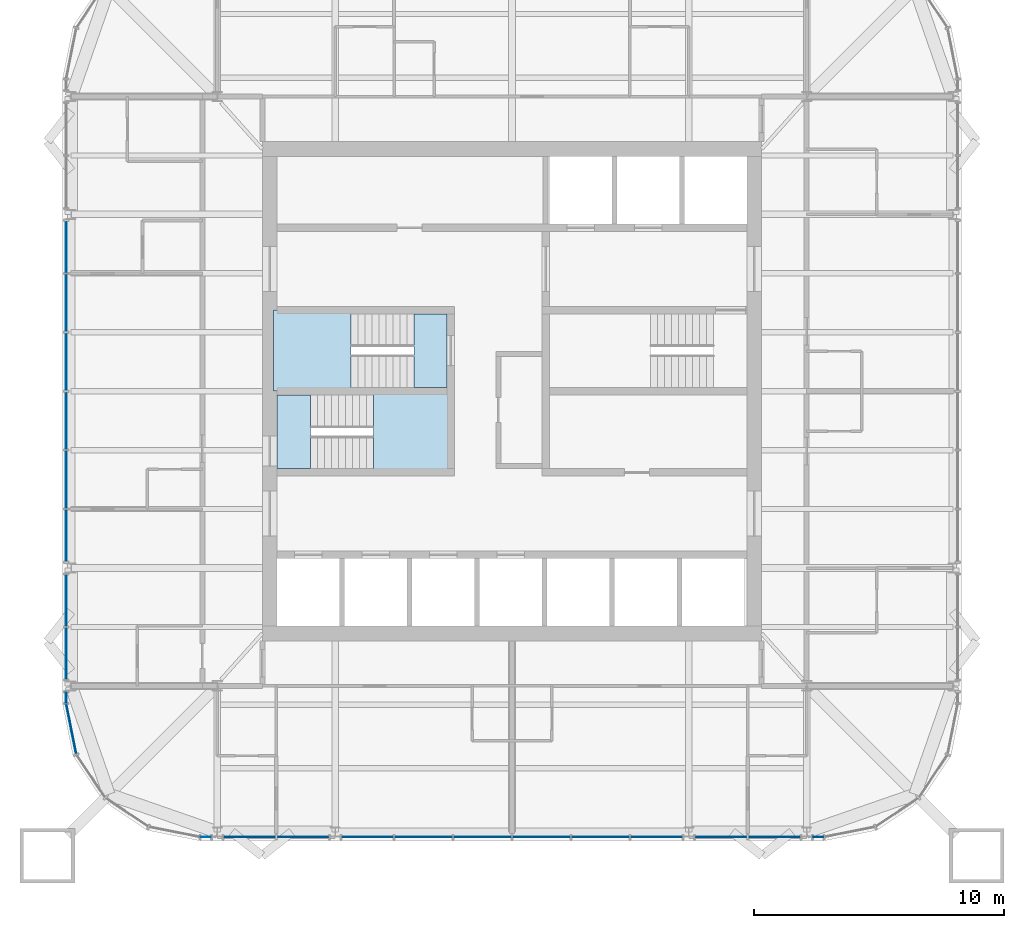
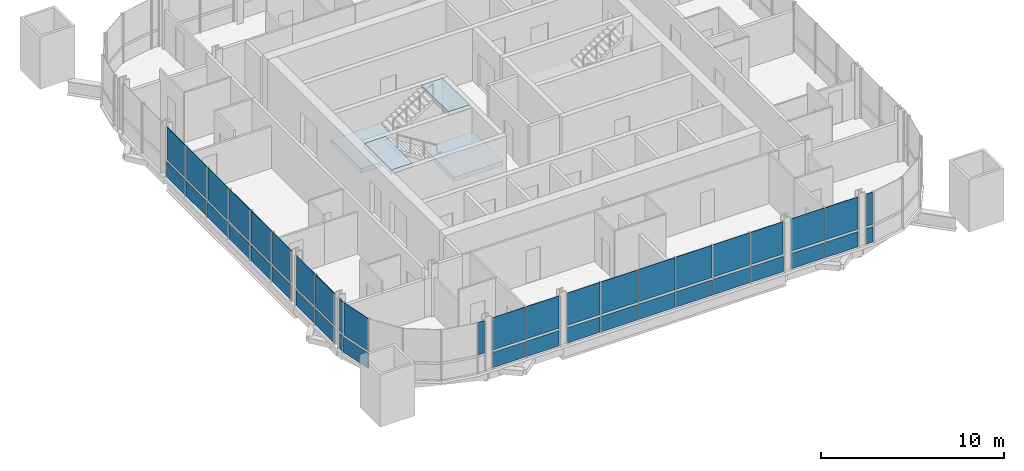
# One storey, part 8 of 17: 43 plates, 4 slabs, 11 elements without a shape of their own.
"""IFC4 building model written with IfcOpenShell, lengths in metres."""

from ifc_helpers import new_model, si_unit, direction, frame, origin, origin_2d, place, context, subcontext, project, spatial, polyline, rectangle, outline, extrude, material, layer, layer_set, type_object, element, aggregate, save


model = new_model("IFC4")

# Units and contexts
model_context = context("Model", 3, precision=1e-05, world=origin(), true_north=direction((0.0, 1.0)))
body_context = subcontext(model_context, "Body", "Model", "MODEL_VIEW")
ifc_project = project(units=[si_unit("LENGTHUNIT", "METRE"), si_unit("AREAUNIT", "SQUARE_METRE"), si_unit("VOLUMEUNIT", "CUBIC_METRE"), si_unit("PLANEANGLEUNIT", "RADIAN"), si_unit("MASSUNIT", "GRAM", prefix="KILO")], contexts=[model_context])

# Site, building, storey
site_placement = place(None, origin())
site = spatial("IfcSite", under=ifc_project, at=site_placement, CompositionType="ELEMENT")
building_placement = place(site_placement, origin())
building = spatial("IfcBuilding", under=site, at=building_placement, Name="Turquesa Mirador Hotel Tower", CompositionType="ELEMENT")
storey_placement = place(building_placement, frame((0.0, 0.0, 237.199951171875)))
storey = spatial("IfcBuildingStorey", under=building, at=storey_placement, Name="L64", CompositionType="ELEMENT", Elevation=237.199951171875)

# Curtain wall, plates
ifc_material_1 = material(Name="Aluminium extrusion", Category="aluminium")
curtain_wall_type = type_object("IfcCurtainWallType", Name="CW-4 SUITE FRITTED CURTAIN WALL", PredefinedType="USERDEFINED", material=ifc_material_1)
curtain_wall_1_placement = place(storey_placement, origin())
curtain_wall_1 = element("IfcCurtainWall", 1, at=curtain_wall_1_placement, inside=storey, type_object=curtain_wall_type, Name="CW-4 SUITE FRITTED CURTAIN WALL L64", ObjectType="CURTAIN WALL", PredefinedType="USERDEFINED")
ifc_material_2 = material(Name="Ceramic-printed spandrel glass on an insulated back pan", Category="glass")
ifc_layer_1 = layer(ifc_material_2, 0.050048828125)
ifc_layer_set_1 = layer_set([ifc_layer_1], Name="CW PANEL SPANDREL CERAMIC")
plate_type_1 = type_object("IfcPlateType", Name="CW PANEL SPANDREL CERAMIC", PredefinedType="CURTAIN_PANEL", material=ifc_layer_set_1)
plate_1_placement = place(storey_placement, frame((37.14990234375, 50.782958984375, 0.0), z_axis=(0.0, 0.0, 1.0), x_axis=(0.0, -1.0, 0.0)))
plate_1 = element("IfcPlate", 2, at=plate_1_placement, type_object=plate_type_1, Name="Panel", PredefinedType="CURTAIN_PANEL", context=body_context, shape_type="SweptSolid", body=[
    extrude(rectangle(XDim=2.06103515625, YDim=0.050048828125, at=origin_2d()), origin(), (0.0, 0.0, 1.0), 1.02490234375),
])
plate_2_placement = place(storey_placement, frame((37.14990234375, 48.5400390625, 0.0), z_axis=(0.0, 0.0, 1.0), x_axis=(0.0, -1.0, 0.0)))
plate_2 = element("IfcPlate", 3, at=plate_2_placement, type_object=plate_type_1, Name="Panel", PredefinedType="CURTAIN_PANEL", context=body_context, shape_type="SweptSolid", body=[
    extrude(rectangle(XDim=2.294921875, YDim=0.050048828125, at=origin_2d()), origin(), (0.0, 0.0, 1.0), 1.02490234375),
])
plate_3_placement = place(storey_placement, frame((37.14990234375, 46.179931640625, 0.0), z_axis=(0.0, 0.0, 1.0), x_axis=(0.0, -1.0, 0.0)))
plate_3 = element("IfcPlate", 4, at=plate_3_placement, type_object=plate_type_1, Name="Panel", PredefinedType="CURTAIN_PANEL", context=body_context, shape_type="SweptSolid", body=[
    extrude(rectangle(XDim=2.294921875, YDim=0.050048828125, at=origin_2d()), origin(), (0.0, 0.0, 1.0), 1.02490234375),
])
plate_4_placement = place(storey_placement, frame((37.14990234375, 43.820068359375, 0.0), z_axis=(0.0, 0.0, 1.0), x_axis=(0.0, -1.0, 0.0)))
plate_4 = element("IfcPlate", 5, at=plate_4_placement, type_object=plate_type_1, Name="Panel", PredefinedType="CURTAIN_PANEL", context=body_context, shape_type="SweptSolid", body=[
    extrude(rectangle(XDim=2.294921875, YDim=0.050048828125, at=origin_2d()), origin(), (0.0, 0.0, 1.0), 1.02490234375),
])
plate_5_placement = place(storey_placement, frame((37.14990234375, 41.4599609375, 0.0), z_axis=(0.0, 0.0, 1.0), x_axis=(0.0, -1.0, 0.0)))
plate_5 = element("IfcPlate", 6, at=plate_5_placement, type_object=plate_type_1, Name="Panel", PredefinedType="CURTAIN_PANEL", context=body_context, shape_type="SweptSolid", body=[
    extrude(rectangle(XDim=2.294921875, YDim=0.050048828125, at=origin_2d()), origin(), (0.0, 0.0, 1.0), 1.02490234375),
])
plate_6_placement = place(storey_placement, frame((37.14990234375, 39.217041015625, 0.0), z_axis=(0.0, 0.0, 1.0), x_axis=(0.0, -1.0, 0.0)))
plate_6 = element("IfcPlate", 7, at=plate_6_placement, type_object=plate_type_1, Name="Panel", PredefinedType="CURTAIN_PANEL", context=body_context, shape_type="SweptSolid", body=[
    extrude(rectangle(XDim=2.06103515625, YDim=0.050048828125, at=origin_2d()), origin(), (0.0, 0.0, 1.0), 1.02490234375),
])

curtain_wall_2_placement = place(storey_placement, origin())
curtain_wall_2 = element("IfcCurtainWall", 8, at=curtain_wall_2_placement, inside=storey, type_object=curtain_wall_type, Name="CW-4 SUITE FRITTED CURTAIN WALL L64", ObjectType="CURTAIN WALL", PredefinedType="USERDEFINED")
plate_7_placement = place(storey_placement, frame((37.14990234375, 36.623046875, 0.0), z_axis=(0.0, 0.0, 1.0), x_axis=(0.0, -1.0, 0.0)))
plate_7 = element("IfcPlate", 9, at=plate_7_placement, type_object=plate_type_1, Name="Panel", PredefinedType="CURTAIN_PANEL", context=body_context, shape_type="SweptSolid", body=[
    extrude(rectangle(XDim=2.06103515625, YDim=0.050048828125, at=origin_2d()), origin(), (0.0, 0.0, 1.0), 1.02490234375),
])
plate_8_placement = place(storey_placement, frame((37.14990234375, 34.496826171875, 0.0), z_axis=(0.0, 0.0, 1.0), x_axis=(0.0, -1.0, 0.0)))
plate_8 = element("IfcPlate", 10, at=plate_8_placement, type_object=plate_type_1, Name="Panel", PredefinedType="CURTAIN_PANEL", context=body_context, shape_type="SweptSolid", body=[
    extrude(rectangle(XDim=2.06103515625, YDim=0.050048828125, at=origin_2d()), origin(), (0.0, 0.0, 1.0), 1.02490234375),
])

# Curtain wall, plate
curtain_wall_3_placement = place(storey_placement, origin())
curtain_wall_3 = element("IfcCurtainWall", 11, at=curtain_wall_3_placement, inside=storey, type_object=curtain_wall_type, Name="CW-4 SUITE FRITTED CURTAIN WALL L64", ObjectType="CURTAIN WALL", PredefinedType="USERDEFINED")
plate_9_placement = place(storey_placement, frame((37.14990234375, 32.733154296875, 0.0), z_axis=(0.0, 0.0, 1.0), x_axis=(0.0, -1.0, 0.0)))
plate_9 = element("IfcPlate", 12, at=plate_9_placement, type_object=plate_type_1, Name="Panel", PredefinedType="CURTAIN_PANEL", context=body_context, shape_type="SweptSolid", body=[
    extrude(rectangle(XDim=0.401123046875, YDim=0.050048828125, at=origin_2d()), origin(), (0.0, 0.0, 1.0), 1.02490234375),
])

curtain_wall_4_placement = place(storey_placement, origin())
curtain_wall_4 = element("IfcCurtainWall", 13, at=curtain_wall_4_placement, inside=storey, type_object=curtain_wall_type, Name="CW-4 SUITE FRITTED CURTAIN WALL L64", ObjectType="CURTAIN WALL", PredefinedType="USERDEFINED")
plate_10_placement = place(storey_placement, frame((37.353515625, 31.476318359375, 0.0), z_axis=(0.0, 0.0, 1.0), x_axis=(0.195090585221, -0.980785228048, 0.0)))
plate_10 = element("IfcPlate", 14, at=plate_10_placement, type_object=plate_type_1, Name="Panel", PredefinedType="CURTAIN_PANEL", context=body_context, shape_type="SweptSolid", body=[
    extrude(rectangle(XDim=2.0224609375, YDim=0.050048828125, at=origin_2d()), origin(), (0.0, 0.0, 1.0), 1.02490234375),
])

# Curtain wall, plates
curtain_wall_5_placement = place(storey_placement, origin())
curtain_wall_5 = element("IfcCurtainWall", 15, at=curtain_wall_5_placement, inside=storey, type_object=curtain_wall_type, Name="CW-4 SUITE FRITTED CURTAIN WALL L64", ObjectType="CURTAIN WALL", PredefinedType="USERDEFINED")
plate_11_placement = place(storey_placement, frame((44.496826171875, 27.14990234375, 0.0), z_axis=(0.0, 0.0, 1.0), x_axis=(1.0, 0.0, 0.0)))
plate_11 = element("IfcPlate", 16, at=plate_11_placement, type_object=plate_type_1, Name="Panel", PredefinedType="CURTAIN_PANEL", context=body_context, shape_type="SweptSolid", body=[
    extrude(rectangle(XDim=2.06103515625, YDim=0.050048828125, at=origin_2d()), origin(), (0.0, 0.0, 1.0), 1.02490234375),
])
plate_12_placement = place(storey_placement, frame((46.623046875, 27.14990234375, 0.0), z_axis=(0.0, 0.0, 1.0), x_axis=(1.0, 0.0, 0.0)))
plate_12 = element("IfcPlate", 17, at=plate_12_placement, type_object=plate_type_1, Name="Panel", PredefinedType="CURTAIN_PANEL", context=body_context, shape_type="SweptSolid", body=[
    extrude(rectangle(XDim=2.06103515625, YDim=0.050048828125, at=origin_2d()), origin(), (0.0, 0.0, 1.0), 1.02490234375),
])

curtain_wall_6_placement = place(storey_placement, origin())
curtain_wall_6 = element("IfcCurtainWall", 18, at=curtain_wall_6_placement, inside=storey, type_object=curtain_wall_type, Name="CW-4 SUITE FRITTED CURTAIN WALL L64", ObjectType="CURTAIN WALL", PredefinedType="USERDEFINED")
plate_13_placement = place(storey_placement, frame((49.217041015625, 27.14990234375, 0.0), z_axis=(0.0, 0.0, 1.0), x_axis=(1.0, 0.0, 0.0)))
plate_13 = element("IfcPlate", 19, at=plate_13_placement, type_object=plate_type_1, Name="Panel", PredefinedType="CURTAIN_PANEL", context=body_context, shape_type="SweptSolid", body=[
    extrude(rectangle(XDim=2.06103515625, YDim=0.050048828125, at=origin_2d()), origin(), (0.0, 0.0, 1.0), 1.02490234375),
])
plate_14_placement = place(storey_placement, frame((51.4599609375, 27.14990234375, 0.0), z_axis=(0.0, 0.0, 1.0), x_axis=(1.0, 0.0, 0.0)))
plate_14 = element("IfcPlate", 20, at=plate_14_placement, type_object=plate_type_1, Name="Panel", PredefinedType="CURTAIN_PANEL", context=body_context, shape_type="SweptSolid", body=[
    extrude(rectangle(XDim=2.294921875, YDim=0.050048828125, at=origin_2d()), origin(), (0.0, 0.0, 1.0), 1.02490234375),
])
plate_15_placement = place(storey_placement, frame((53.820068359375, 27.14990234375, 0.0), z_axis=(0.0, 0.0, 1.0), x_axis=(1.0, 0.0, 0.0)))
plate_15 = element("IfcPlate", 21, at=plate_15_placement, type_object=plate_type_1, Name="Panel", PredefinedType="CURTAIN_PANEL", context=body_context, shape_type="SweptSolid", body=[
    extrude(rectangle(XDim=2.294921875, YDim=0.050048828125, at=origin_2d()), origin(), (0.0, 0.0, 1.0), 1.02490234375),
])
plate_16_placement = place(storey_placement, frame((56.179931640625, 27.14990234375, 0.0), z_axis=(0.0, 0.0, 1.0), x_axis=(1.0, 0.0, 0.0)))
plate_16 = element("IfcPlate", 22, at=plate_16_placement, type_object=plate_type_1, Name="Panel", PredefinedType="CURTAIN_PANEL", context=body_context, shape_type="SweptSolid", body=[
    extrude(rectangle(XDim=2.294921875, YDim=0.050048828125, at=origin_2d()), origin(), (0.0, 0.0, 1.0), 1.02490234375),
])
plate_17_placement = place(storey_placement, frame((58.5400390625, 27.14990234375, 0.0), z_axis=(0.0, 0.0, 1.0), x_axis=(1.0, 0.0, 0.0)))
plate_17 = element("IfcPlate", 23, at=plate_17_placement, type_object=plate_type_1, Name="Panel", PredefinedType="CURTAIN_PANEL", context=body_context, shape_type="SweptSolid", body=[
    extrude(rectangle(XDim=2.294921875, YDim=0.050048828125, at=origin_2d()), origin(), (0.0, 0.0, 1.0), 1.02490234375),
])
plate_18_placement = place(storey_placement, frame((60.782958984375, 27.14990234375, 0.0), z_axis=(0.0, 0.0, 1.0), x_axis=(1.0, 0.0, 0.0)))
plate_18 = element("IfcPlate", 24, at=plate_18_placement, type_object=plate_type_1, Name="Panel", PredefinedType="CURTAIN_PANEL", context=body_context, shape_type="SweptSolid", body=[
    extrude(rectangle(XDim=2.06103515625, YDim=0.050048828125, at=origin_2d()), origin(), (0.0, 0.0, 1.0), 1.02490234375),
])

curtain_wall_7_placement = place(storey_placement, origin())
curtain_wall_7 = element("IfcCurtainWall", 25, at=curtain_wall_7_placement, inside=storey, type_object=curtain_wall_type, Name="CW-4 SUITE FRITTED CURTAIN WALL L64", ObjectType="CURTAIN WALL", PredefinedType="USERDEFINED")
plate_19_placement = place(storey_placement, frame((63.376953125, 27.14990234375, 0.0), z_axis=(0.0, 0.0, 1.0), x_axis=(1.0, 0.0, 0.0)))
plate_19 = element("IfcPlate", 26, at=plate_19_placement, type_object=plate_type_1, Name="Panel", PredefinedType="CURTAIN_PANEL", context=body_context, shape_type="SweptSolid", body=[
    extrude(rectangle(XDim=2.06103515625, YDim=0.050048828125, at=origin_2d()), origin(), (0.0, 0.0, 1.0), 1.02490234375),
])
plate_20_placement = place(storey_placement, frame((65.503173828125, 27.14990234375, 0.0), z_axis=(0.0, 0.0, 1.0), x_axis=(1.0, 0.0, 0.0)))
plate_20 = element("IfcPlate", 27, at=plate_20_placement, type_object=plate_type_1, Name="Panel", PredefinedType="CURTAIN_PANEL", context=body_context, shape_type="SweptSolid", body=[
    extrude(rectangle(XDim=2.06103515625, YDim=0.050048828125, at=origin_2d()), origin(), (0.0, 0.0, 1.0), 1.02490234375),
])

# Curtain wall, plate
curtain_wall_8_placement = place(storey_placement, origin())
curtain_wall_8 = element("IfcCurtainWall", 28, at=curtain_wall_8_placement, inside=storey, type_object=curtain_wall_type, Name="CW-4 SUITE FRITTED CURTAIN WALL L64", ObjectType="CURTAIN WALL", PredefinedType="USERDEFINED")
plate_21_placement = place(storey_placement, frame((67.266845703125, 27.14990234375, 0.0), z_axis=(0.0, 0.0, 1.0), x_axis=(1.0, 0.0, 0.0)))
plate_21 = element("IfcPlate", 29, at=plate_21_placement, type_object=plate_type_1, Name="Panel", PredefinedType="CURTAIN_PANEL", context=body_context, shape_type="SweptSolid", body=[
    extrude(rectangle(XDim=0.401123046875, YDim=0.050048828125, at=origin_2d()), origin(), (0.0, 0.0, 1.0), 1.02490234375),
])

# Plate
ifc_material_3 = material(Name="Ceramic-fritted laminated glass", Category="glass")
ifc_layer_2 = layer(ifc_material_3, 0.031982421875)
ifc_layer_set_2 = layer_set([ifc_layer_2], Name="CW PANEL VISION FRITTED")
plate_type_2 = type_object("IfcPlateType", Name="CW PANEL VISION FRITTED", PredefinedType="CURTAIN_PANEL", material=ifc_layer_set_2)
plate_22_placement = place(storey_placement, frame((37.14990234375, 50.782958984375, 1.1748046875), z_axis=(0.0, 0.0, 1.0), x_axis=(0.0, -1.0, 0.0)))
plate_22 = element("IfcPlate", 30, at=plate_22_placement, type_object=plate_type_2, Name="Panel", PredefinedType="CURTAIN_PANEL", context=body_context, shape_type="SweptSolid", body=[
    extrude(rectangle(XDim=2.06103515625, YDim=0.031982421875, at=origin_2d()), origin(), (0.0, 0.0, 1.0), 2.155029296875),
])

plate_23_placement = place(storey_placement, frame((37.14990234375, 48.5400390625, 1.1748046875), z_axis=(0.0, 0.0, 1.0), x_axis=(0.0, -1.0, 0.0)))
plate_23 = element("IfcPlate", 31, at=plate_23_placement, type_object=plate_type_2, Name="Panel", PredefinedType="CURTAIN_PANEL", context=body_context, shape_type="SweptSolid", body=[
    extrude(rectangle(XDim=2.294921875, YDim=0.031982421875, at=origin_2d()), origin(), (0.0, 0.0, 1.0), 2.155029296875),
])

plate_24_placement = place(storey_placement, frame((37.14990234375, 46.179931640625, 1.1748046875), z_axis=(0.0, 0.0, 1.0), x_axis=(0.0, -1.0, 0.0)))
plate_24 = element("IfcPlate", 32, at=plate_24_placement, type_object=plate_type_2, Name="Panel", PredefinedType="CURTAIN_PANEL", context=body_context, shape_type="SweptSolid", body=[
    extrude(rectangle(XDim=2.294921875, YDim=0.031982421875, at=origin_2d()), origin(), (0.0, 0.0, 1.0), 2.155029296875),
])

plate_25_placement = place(storey_placement, frame((37.14990234375, 43.820068359375, 1.1748046875), z_axis=(0.0, 0.0, 1.0), x_axis=(0.0, -1.0, 0.0)))
plate_25 = element("IfcPlate", 33, at=plate_25_placement, type_object=plate_type_2, Name="Panel", PredefinedType="CURTAIN_PANEL", context=body_context, shape_type="SweptSolid", body=[
    extrude(rectangle(XDim=2.294921875, YDim=0.031982421875, at=origin_2d()), origin(), (0.0, 0.0, 1.0), 2.155029296875),
])

plate_26_placement = place(storey_placement, frame((37.14990234375, 41.4599609375, 1.1748046875), z_axis=(0.0, 0.0, 1.0), x_axis=(0.0, -1.0, 0.0)))
plate_26 = element("IfcPlate", 34, at=plate_26_placement, type_object=plate_type_2, Name="Panel", PredefinedType="CURTAIN_PANEL", context=body_context, shape_type="SweptSolid", body=[
    extrude(rectangle(XDim=2.294921875, YDim=0.031982421875, at=origin_2d()), origin(), (0.0, 0.0, 1.0), 2.155029296875),
])

plate_27_placement = place(storey_placement, frame((37.14990234375, 39.217041015625, 1.1748046875), z_axis=(0.0, 0.0, 1.0), x_axis=(0.0, -1.0, 0.0)))
plate_27 = element("IfcPlate", 35, at=plate_27_placement, type_object=plate_type_2, Name="Panel", PredefinedType="CURTAIN_PANEL", context=body_context, shape_type="SweptSolid", body=[
    extrude(rectangle(XDim=2.06103515625, YDim=0.031982421875, at=origin_2d()), origin(), (0.0, 0.0, 1.0), 2.155029296875),
])

aggregate(curtain_wall_1, [plate_1, plate_22, plate_2, plate_23, plate_3, plate_24, plate_4, plate_25, plate_5, plate_26, plate_6, plate_27])

plate_28_placement = place(storey_placement, frame((37.14990234375, 36.623046875, 1.1748046875), z_axis=(0.0, 0.0, 1.0), x_axis=(0.0, -1.0, 0.0)))
plate_28 = element("IfcPlate", 36, at=plate_28_placement, type_object=plate_type_2, Name="Panel", PredefinedType="CURTAIN_PANEL", context=body_context, shape_type="SweptSolid", body=[
    extrude(rectangle(XDim=2.06103515625, YDim=0.031982421875, at=origin_2d()), origin(), (0.0, 0.0, 1.0), 2.155029296875),
])

plate_29_placement = place(storey_placement, frame((37.14990234375, 34.496826171875, 1.1748046875), z_axis=(0.0, 0.0, 1.0), x_axis=(0.0, -1.0, 0.0)))
plate_29 = element("IfcPlate", 37, at=plate_29_placement, type_object=plate_type_2, Name="Panel", PredefinedType="CURTAIN_PANEL", context=body_context, shape_type="SweptSolid", body=[
    extrude(rectangle(XDim=2.06103515625, YDim=0.031982421875, at=origin_2d()), origin(), (0.0, 0.0, 1.0), 2.155029296875),
])

aggregate(curtain_wall_2, [plate_7, plate_28, plate_8, plate_29])

plate_30_placement = place(storey_placement, frame((37.14990234375, 32.733154296875, 1.1748046875), z_axis=(0.0, 0.0, 1.0), x_axis=(0.0, -1.0, 0.0)))
plate_30 = element("IfcPlate", 38, at=plate_30_placement, type_object=plate_type_2, Name="Panel", PredefinedType="CURTAIN_PANEL", context=body_context, shape_type="SweptSolid", body=[
    extrude(rectangle(XDim=0.401123046875, YDim=0.031982421875, at=origin_2d()), origin(), (0.0, 0.0, 1.0), 2.155029296875),
])

aggregate(curtain_wall_3, [plate_9, plate_30])

plate_31_placement = place(storey_placement, frame((37.353515625, 31.476318359375, 1.1748046875), z_axis=(0.0, 0.0, 1.0), x_axis=(0.195090585221, -0.980785228048, 0.0)))
plate_31 = element("IfcPlate", 39, at=plate_31_placement, type_object=plate_type_2, Name="Panel", PredefinedType="CURTAIN_PANEL", context=body_context, shape_type="SweptSolid", body=[
    extrude(rectangle(XDim=2.0224609375, YDim=0.031982421875, at=origin_2d()), origin(), (0.0, 0.0, 1.0), 2.155029296875),
])

aggregate(curtain_wall_4, [plate_10, plate_31])

# Curtain wall, plate
curtain_wall_9_placement = place(storey_placement, origin())
curtain_wall_9 = element("IfcCurtainWall", 40, at=curtain_wall_9_placement, inside=storey, type_object=curtain_wall_type, Name="CW-4 SUITE FRITTED CURTAIN WALL L64", ObjectType="CURTAIN WALL", PredefinedType="USERDEFINED")
plate_32_placement = place(storey_placement, frame((42.733154296875, 27.14990234375, 1.1748046875), z_axis=(0.0, 0.0, 1.0), x_axis=(1.0, 0.0, 0.0)))
plate_32 = element("IfcPlate", 41, at=plate_32_placement, type_object=plate_type_2, Name="Panel", PredefinedType="CURTAIN_PANEL", context=body_context, shape_type="SweptSolid", body=[
    extrude(rectangle(XDim=0.401123046875, YDim=0.031982421875, at=origin_2d()), origin(), (0.0, 0.0, 1.0), 2.155029296875),
])
aggregate(curtain_wall_9, [plate_32])

# Plate
plate_33_placement = place(storey_placement, frame((44.496826171875, 27.14990234375, 1.1748046875), z_axis=(0.0, 0.0, 1.0), x_axis=(1.0, 0.0, 0.0)))
plate_33 = element("IfcPlate", 42, at=plate_33_placement, type_object=plate_type_2, Name="Panel", PredefinedType="CURTAIN_PANEL", context=body_context, shape_type="SweptSolid", body=[
    extrude(rectangle(XDim=2.06103515625, YDim=0.031982421875, at=origin_2d()), origin(), (0.0, 0.0, 1.0), 2.155029296875),
])

plate_34_placement = place(storey_placement, frame((46.623046875, 27.14990234375, 1.1748046875), z_axis=(0.0, 0.0, 1.0), x_axis=(1.0, 0.0, 0.0)))
plate_34 = element("IfcPlate", 43, at=plate_34_placement, type_object=plate_type_2, Name="Panel", PredefinedType="CURTAIN_PANEL", context=body_context, shape_type="SweptSolid", body=[
    extrude(rectangle(XDim=2.06103515625, YDim=0.031982421875, at=origin_2d()), origin(), (0.0, 0.0, 1.0), 2.155029296875),
])

aggregate(curtain_wall_5, [plate_11, plate_33, plate_12, plate_34])

plate_35_placement = place(storey_placement, frame((49.217041015625, 27.14990234375, 1.1748046875), z_axis=(0.0, 0.0, 1.0), x_axis=(1.0, 0.0, 0.0)))
plate_35 = element("IfcPlate", 44, at=plate_35_placement, type_object=plate_type_2, Name="Panel", PredefinedType="CURTAIN_PANEL", context=body_context, shape_type="SweptSolid", body=[
    extrude(rectangle(XDim=2.06103515625, YDim=0.031982421875, at=origin_2d()), origin(), (0.0, 0.0, 1.0), 2.155029296875),
])

plate_36_placement = place(storey_placement, frame((51.4599609375, 27.14990234375, 1.1748046875), z_axis=(0.0, 0.0, 1.0), x_axis=(1.0, 0.0, 0.0)))
plate_36 = element("IfcPlate", 45, at=plate_36_placement, type_object=plate_type_2, Name="Panel", PredefinedType="CURTAIN_PANEL", context=body_context, shape_type="SweptSolid", body=[
    extrude(rectangle(XDim=2.294921875, YDim=0.031982421875, at=origin_2d()), origin(), (0.0, 0.0, 1.0), 2.155029296875),
])

plate_37_placement = place(storey_placement, frame((53.820068359375, 27.14990234375, 1.1748046875), z_axis=(0.0, 0.0, 1.0), x_axis=(1.0, 0.0, 0.0)))
plate_37 = element("IfcPlate", 46, at=plate_37_placement, type_object=plate_type_2, Name="Panel", PredefinedType="CURTAIN_PANEL", context=body_context, shape_type="SweptSolid", body=[
    extrude(rectangle(XDim=2.294921875, YDim=0.031982421875, at=origin_2d()), origin(), (0.0, 0.0, 1.0), 2.155029296875),
])

plate_38_placement = place(storey_placement, frame((56.179931640625, 27.14990234375, 1.1748046875), z_axis=(0.0, 0.0, 1.0), x_axis=(1.0, 0.0, 0.0)))
plate_38 = element("IfcPlate", 47, at=plate_38_placement, type_object=plate_type_2, Name="Panel", PredefinedType="CURTAIN_PANEL", context=body_context, shape_type="SweptSolid", body=[
    extrude(rectangle(XDim=2.294921875, YDim=0.031982421875, at=origin_2d()), origin(), (0.0, 0.0, 1.0), 2.155029296875),
])

plate_39_placement = place(storey_placement, frame((58.5400390625, 27.14990234375, 1.1748046875), z_axis=(0.0, 0.0, 1.0), x_axis=(1.0, 0.0, 0.0)))
plate_39 = element("IfcPlate", 48, at=plate_39_placement, type_object=plate_type_2, Name="Panel", PredefinedType="CURTAIN_PANEL", context=body_context, shape_type="SweptSolid", body=[
    extrude(rectangle(XDim=2.294921875, YDim=0.031982421875, at=origin_2d()), origin(), (0.0, 0.0, 1.0), 2.155029296875),
])

plate_40_placement = place(storey_placement, frame((60.782958984375, 27.14990234375, 1.1748046875), z_axis=(0.0, 0.0, 1.0), x_axis=(1.0, 0.0, 0.0)))
plate_40 = element("IfcPlate", 49, at=plate_40_placement, type_object=plate_type_2, Name="Panel", PredefinedType="CURTAIN_PANEL", context=body_context, shape_type="SweptSolid", body=[
    extrude(rectangle(XDim=2.06103515625, YDim=0.031982421875, at=origin_2d()), origin(), (0.0, 0.0, 1.0), 2.155029296875),
])

aggregate(curtain_wall_6, [plate_13, plate_35, plate_14, plate_36, plate_15, plate_37, plate_16, plate_38, plate_17, plate_39, plate_18, plate_40])

plate_41_placement = place(storey_placement, frame((63.376953125, 27.14990234375, 1.1748046875), z_axis=(0.0, 0.0, 1.0), x_axis=(1.0, 0.0, 0.0)))
plate_41 = element("IfcPlate", 50, at=plate_41_placement, type_object=plate_type_2, Name="Panel", PredefinedType="CURTAIN_PANEL", context=body_context, shape_type="SweptSolid", body=[
    extrude(rectangle(XDim=2.06103515625, YDim=0.031982421875, at=origin_2d()), origin(), (0.0, 0.0, 1.0), 2.155029296875),
])

plate_42_placement = place(storey_placement, frame((65.503173828125, 27.14990234375, 1.1748046875), z_axis=(0.0, 0.0, 1.0), x_axis=(1.0, 0.0, 0.0)))
plate_42 = element("IfcPlate", 51, at=plate_42_placement, type_object=plate_type_2, Name="Panel", PredefinedType="CURTAIN_PANEL", context=body_context, shape_type="SweptSolid", body=[
    extrude(rectangle(XDim=2.06103515625, YDim=0.031982421875, at=origin_2d()), origin(), (0.0, 0.0, 1.0), 2.155029296875),
])

aggregate(curtain_wall_7, [plate_19, plate_41, plate_20, plate_42])

plate_43_placement = place(storey_placement, frame((67.266845703125, 27.14990234375, 1.1748046875), z_axis=(0.0, 0.0, 1.0), x_axis=(1.0, 0.0, 0.0)))
plate_43 = element("IfcPlate", 52, at=plate_43_placement, type_object=plate_type_2, Name="Panel", PredefinedType="CURTAIN_PANEL", context=body_context, shape_type="SweptSolid", body=[
    extrude(rectangle(XDim=0.401123046875, YDim=0.031982421875, at=origin_2d()), origin(), (0.0, 0.0, 1.0), 2.155029296875),
])

aggregate(curtain_wall_8, [plate_21, plate_43])

# Stair, slabs
ifc_material_4 = material(Name="Concrete C35/45", Category="concrete")
stair_type = type_object("IfcStairType", Name="ESCAPE STAIR CORE", PredefinedType="HALF_TURN_STAIR", material=ifc_material_4)
stair_1_placement = place(storey_placement, origin())
stair_1 = element("IfcStair", 53, at=stair_1_placement, inside=storey, type_object=stair_type, Name="Stair ST1 L64 to L65", PredefinedType="HALF_TURN_STAIR")
ifc_material_5 = material(Name="Concrete C35/45", Category="concrete")
ifc_layer_3 = layer(ifc_material_5, 0.300048828125)
ifc_layer_set_3 = layer_set([ifc_layer_3], Name="STAIR LANDING 300")
slab_type = type_object("IfcSlabType", Name="STAIR LANDING 300", PredefinedType="LANDING", material=ifc_layer_set_3)
slab_1_placement = place(storey_placement, frame((0.0, 0.0, 1.449951171875)))
slab_1 = element("IfcSlab", 54, at=slab_1_placement, type_object=slab_type, Name="ST1 landing 1", PredefinedType="LANDING", context=body_context, shape_type="SweptSolid", body=[
    extrude(outline(polyline([(45.449951171875, 45.0), (48.550048828125, 45.0), (48.550048828125, 48.25), (45.449951171875, 48.25), (45.449951171875, 45.0)])), origin(), (0.0, 0.0, 1.0), 0.300048828125),
])
slab_2_placement = place(storey_placement, frame((0.0, 0.0, 3.199951171875)))
slab_2 = element("IfcSlab", 55, at=slab_2_placement, type_object=slab_type, Name="ST1 landing 2", PredefinedType="LANDING", context=body_context, shape_type="SweptSolid", body=[
    extrude(outline(polyline([(51.070068359375, 45.14990234375), (52.39990234375, 45.14990234375), (52.39990234375, 48.10009765625), (51.070068359375, 48.10009765625), (51.070068359375, 45.14990234375)])), origin(), (0.0, 0.0, 1.0), 0.300048828125),
])
aggregate(stair_1, [slab_1, slab_2])

stair_2_placement = place(storey_placement, origin())
stair_2 = element("IfcStair", 56, at=stair_2_placement, inside=storey, type_object=stair_type, Name="Stair ST2 L64 to L65", PredefinedType="HALF_TURN_STAIR")
slab_3_placement = place(storey_placement, frame((0.0, 0.0, 1.449951171875)))
slab_3 = element("IfcSlab", 57, at=slab_3_placement, type_object=slab_type, Name="ST2 landing 1", PredefinedType="LANDING", context=body_context, shape_type="SweptSolid", body=[
    extrude(outline(polyline([(52.550048828125, 45.0), (49.449951171875, 45.0), (49.449951171875, 41.75), (52.550048828125, 41.75), (52.550048828125, 45.0)])), origin(), (0.0, 0.0, 1.0), 0.300048828125),
])
slab_4_placement = place(storey_placement, frame((0.0, 0.0, 3.199951171875)))
slab_4 = element("IfcSlab", 58, at=slab_4_placement, type_object=slab_type, Name="ST2 landing 2", PredefinedType="LANDING", context=body_context, shape_type="SweptSolid", body=[
    extrude(outline(polyline([(46.929931640625, 44.85009765625), (45.60009765625, 44.85009765625), (45.60009765625, 41.89990234375), (46.929931640625, 41.89990234375), (46.929931640625, 44.85009765625)])), origin(), (0.0, 0.0, 1.0), 0.300048828125),
])
aggregate(stair_2, [slab_3, slab_4])

save(model, "model.ifc")
